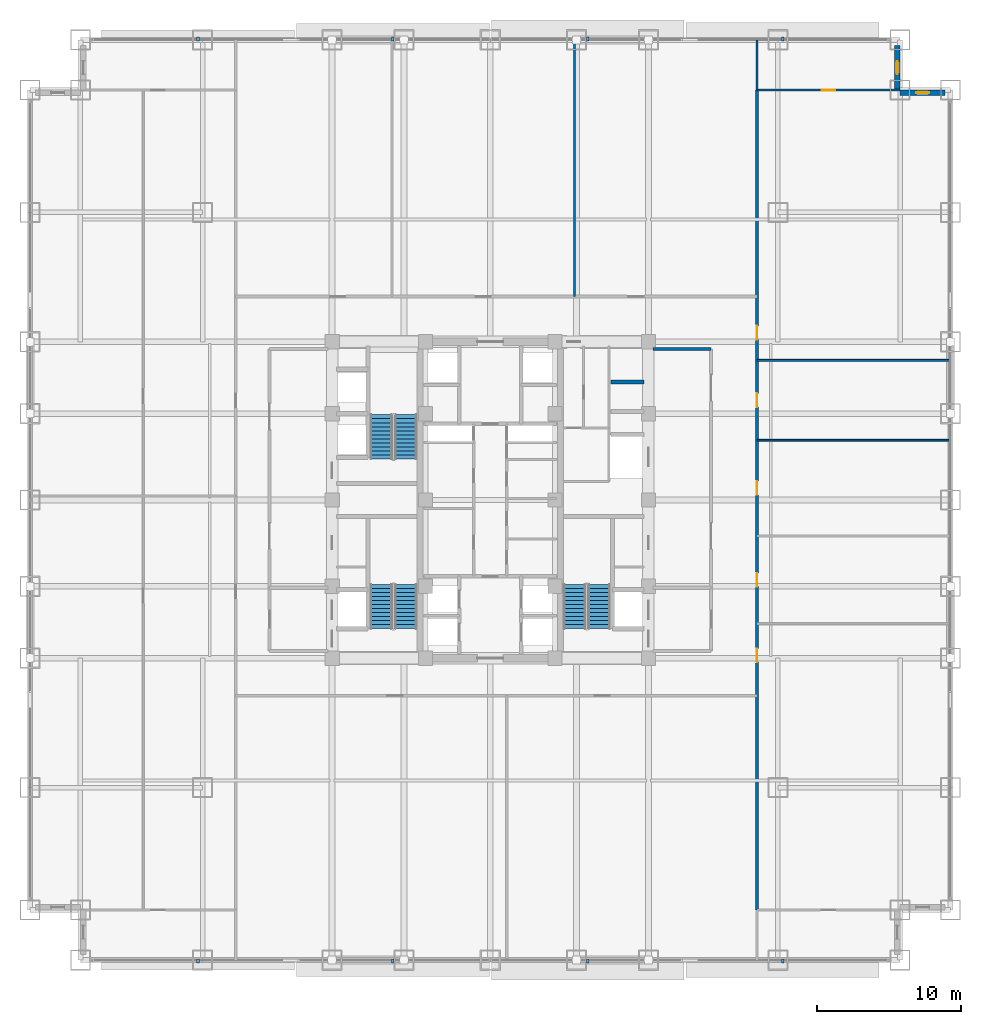
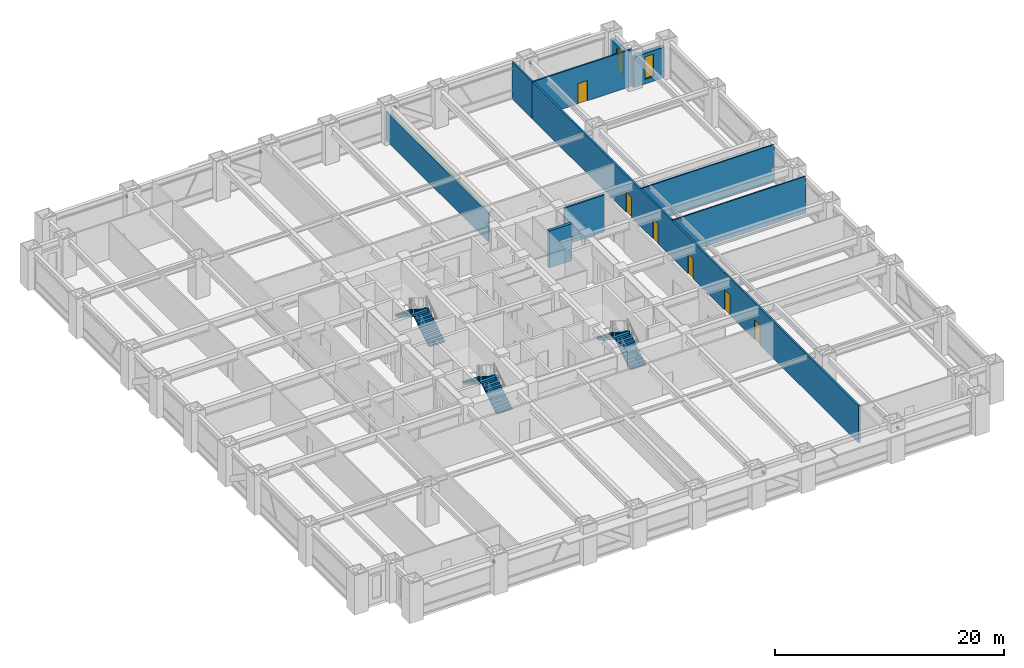
# One storey, part 27 of 32: 10 walls, 8 discrete accessories, 6 doors, 6 stair flights, 2 windows, 8 openings, 3 elements without a shape of their own.
"""IFC4 building model written with IfcOpenShell, lengths in metres."""

from ifc_helpers import new_model, si_unit, direction, frame, frame_2d, origin, origin_2d, place, context, subcontext, project, spatial, polyline, rectangle, outline, extrude, source, transform, mapped, material, layer, layer_set, type_object, element, fill, aggregate, save


model = new_model("IFC4")

# Units and contexts
model_context = context("Model", 3, precision=1e-05, world=origin(), true_north=direction((0.0, 1.0)))
body_context = subcontext(model_context, "Body", "Model", "MODEL_VIEW")
ifc_project = project(units=[si_unit("LENGTHUNIT", "METRE"), si_unit("AREAUNIT", "SQUARE_METRE"), si_unit("VOLUMEUNIT", "CUBIC_METRE"), si_unit("PLANEANGLEUNIT", "RADIAN"), si_unit("MASSUNIT", "GRAM", prefix="KILO")], contexts=[model_context])

# Site, building, storey
site_placement = place(None, origin())
site = spatial("IfcSite", under=ifc_project, at=site_placement, CompositionType="ELEMENT")
building_placement = place(site_placement, origin())
building = spatial("IfcBuilding", under=site, at=building_placement, Name="Khorayat Bourse Tower", CompositionType="ELEMENT")
storey_placement = place(building_placement, frame((0.0, 0.0, 78.800048828125)))
storey = spatial("IfcBuildingStorey", under=building, at=storey_placement, Name="L17", CompositionType="ELEMENT", Elevation=78.800048828125)

# Wall, opening, window
ifc_material_1 = material(Name="Precast concrete C45/55", Category="concrete")
ifc_layer_1 = layer(ifc_material_1, 0.3798828125)
ifc_layer_set_1 = layer_set([ifc_layer_1], Name="Precast concrete C45/55")
wall_type_1 = type_object("IfcWallType", Name="WAL-EXT-STONE-380", PredefinedType="STANDARD", material=ifc_layer_set_1)
shared_shape_1 = source(origin(), body_context, "Body", "SweptSolid", [
    extrude(rectangle(XDim=3.1201171875, YDim=0.3798828125, at=frame_2d((1.56005859375, 0.0))), origin(), (0.0, 0.0, 1.0), 3.244873046875),
])
wall_1_placement = place(storey_placement, frame((28.5, 28.31005859375, 0.0), z_axis=(0.0, 0.0, 1.0), x_axis=(1.0, 0.0, 0.0)))
wall_1 = element("IfcWall", 1, at=wall_1_placement, inside=storey, type_object=wall_type_1, Name="L17 Re-Entrant Notch Limestone Wall NE-H", PredefinedType="STANDARD", context=body_context, shape_type="MappedRepresentation", body=[
    mapped(shared_shape_1, transform((0.0, 0.0, 0.0), scale=1.0)),
])
shared_shape_2 = source(origin(), body_context, "Body", "SweptSolid", [
    extrude(rectangle(XDim=0.89990234375, YDim=2.39990234375, at=frame_2d((0.449951171875, 1.199951171875))), frame((0.0, 0.199951171875, 0.0), z_axis=(0.0, -1.0, 0.0), x_axis=(1.0, 0.0, 0.0)), (0.0, 0.0, 1.0), 0.39990234375),
])
opening_1_placement = place(wall_1_placement, frame((1.110107421875, 0.0, 0.5)))
opening_1 = element("IfcOpeningElement", 2, at=opening_1_placement, cuts=wall_1, Name="Opening WN-03", PredefinedType="OPENING", context=body_context, shape_type="MappedRepresentation", body=[
    mapped(shared_shape_2, transform((0.0, 0.0, 0.0), scale=1.0)),
])
ifc_material_2 = material(Name="Deep-reveal solar-control double glazing", Category="glass")
window_type = type_object("IfcWindowType", Name="WIN-SLOT-900x2400", PartitioningType="SINGLE_PANEL", PredefinedType="WINDOW", material=ifc_material_2)
shared_shape_3 = source(origin(), body_context, "Body", "SweptSolid", [
    extrude(rectangle(XDim=0.89990234375, YDim=2.39990234375, at=frame_2d((0.449951171875, 1.199951171875))), frame((0.0, 0.030029296875, 0.0), z_axis=(0.0, -1.0, 0.0), x_axis=(1.0, 0.0, 0.0)), (0.0, 0.0, 1.0), 0.06005859375),
])
window_1_placement = place(opening_1_placement, origin())
window_1 = element("IfcWindow", 3, at=window_1_placement, inside=storey, type_object=window_type, Name="L17 Facade Window 1", OverallHeight=2.39990234375, OverallWidth=0.89990234375, PartitioningType="SINGLE_PANEL", PredefinedType="WINDOW", context=body_context, shape_type="MappedRepresentation", body=[
    mapped(shared_shape_3, transform((0.0, 0.0, 0.0), scale=1.0)),
])
fill(opening_1, window_1)

wall_2_placement = place(storey_placement, frame((28.31005859375, 28.5, 0.0), z_axis=(0.0, 0.0, 1.0), x_axis=(0.0, 1.0, 0.0)))
wall_2 = element("IfcWall", 4, at=wall_2_placement, inside=storey, type_object=wall_type_1, Name="L17 Re-Entrant Notch Limestone Wall NE-V", PredefinedType="STANDARD", context=body_context, shape_type="MappedRepresentation", body=[
    mapped(shared_shape_1, transform((0.0, 0.0, 0.0), scale=1.0)),
])
opening_2_placement = place(wall_2_placement, frame((1.110107421875, 0.0, 0.5)))
opening_2 = element("IfcOpeningElement", 5, at=opening_2_placement, cuts=wall_2, Name="Opening WN-03", PredefinedType="OPENING", context=body_context, shape_type="MappedRepresentation", body=[
    mapped(shared_shape_2, transform((0.0, 0.0, 0.0), scale=1.0)),
])
window_2_placement = place(opening_2_placement, origin())
window_2 = element("IfcWindow", 6, at=window_2_placement, inside=storey, type_object=window_type, Name="L17 Facade Window 1", OverallHeight=2.39990234375, OverallWidth=0.89990234375, PartitioningType="SINGLE_PANEL", PredefinedType="WINDOW", context=body_context, shape_type="MappedRepresentation", body=[
    mapped(shared_shape_3, transform((0.0, 0.0, 0.0), scale=1.0)),
])
fill(opening_2, window_2)

# Walls
ifc_material_3 = material(Name="Concrete C50/60", Category="concrete")
ifc_layer_2 = layer(ifc_material_3, 0.300048828125)
ifc_layer_set_2 = layer_set([ifc_layer_2], Name="Concrete C50/60")
wall_type_2 = type_object("IfcWallType", Name="WAL-SHAFT-300", PredefinedType="SHEAR", material=ifc_layer_set_2)
shared_shape_4 = source(origin(), body_context, "Body", "SweptSolid", [
    extrude(rectangle(XDim=2.300048828125, YDim=0.300048828125, at=frame_2d((1.14990234375, 0.0))), origin(), (0.0, 0.0, 1.0), 3.93994140625),
])
wall_3_placement = place(storey_placement, frame((8.39990234375, 8.199951171875, 0.0), z_axis=(0.0, 0.0, 1.0), x_axis=(1.0, 0.0, 0.0)))
element("IfcWall", 7, at=wall_3_placement, inside=storey, type_object=wall_type_2, Name="L17 Partition WAL-L17-EPIER-H34", PredefinedType="SHEAR", context=body_context, shape_type="MappedRepresentation", body=[
    mapped(shared_shape_4, transform((0.0, 0.0, 0.0), scale=1.0)),
])
ifc_material_4 = material(Name="Gypsum plasterboard acoustic stud wall")
ifc_layer_3 = layer(ifc_material_4, 0.179931640625)
ifc_layer_set_3 = layer_set([ifc_layer_3], Name="Gypsum plasterboard acoustic stud wall")
wall_type_3 = type_object("IfcWallType", Name="WAL-PART-CORR-180", PredefinedType="PARTITIONING", material=ifc_layer_set_3)
shared_shape_5 = source(origin(), body_context, "Body", "SweptSolid", [
    extrude(rectangle(XDim=4.050048828125, YDim=0.179931640625, at=frame_2d((2.02490234375, 0.0))), origin(), (0.0, 0.0, 1.0), 3.93994140625),
])
wall_4_placement = place(storey_placement, frame((11.300048828125, 10.5, 0.0), z_axis=(0.0, 0.0, 1.0), x_axis=(1.0, 0.0, 0.0)))
element("IfcWall", 8, at=wall_4_placement, inside=storey, type_object=wall_type_3, Name="L17 Partition WAL-L17-ELOB-N", PredefinedType="PARTITIONING", context=body_context, shape_type="MappedRepresentation", body=[
    mapped(shared_shape_5, transform((0.0, 0.0, 0.0), scale=1.0)),
])
ifc_material_5 = material(Name="Gypsum plasterboard twin-frame partition")
ifc_layer_4 = layer(ifc_material_5, 0.14990234375)
ifc_layer_set_4 = layer_set([ifc_layer_4], Name="Gypsum plasterboard twin-frame partition")
wall_type_4 = type_object("IfcWallType", Name="WAL-PART-SUITE-150", PredefinedType="PARTITIONING", material=ifc_layer_set_4)
shared_shape_6 = source(origin(), body_context, "Body", "SweptSolid", [
    extrude(rectangle(XDim=3.5, YDim=0.14990234375, at=frame_2d((1.75, 0.0))), origin(), (0.0, 0.0, 1.0), 3.93994140625),
])
wall_5_placement = place(storey_placement, frame((18.550048828125, 28.5, 0.0), z_axis=(0.0, 0.0, 1.0), x_axis=(0.0, 1.0, 0.0)))
element("IfcWall", 9, at=wall_5_placement, inside=storey, type_object=wall_type_4, Name="L17 Partition WAL-L17-NCE-END", PredefinedType="PARTITIONING", context=body_context, shape_type="MappedRepresentation", body=[
    mapped(shared_shape_6, transform((0.0, 0.0, 0.0), scale=1.0)),
])

# Wall, openings, doors
shared_shape_7 = source(origin(), body_context, "Body", "SweptSolid", [
    extrude(rectangle(XDim=57.0, YDim=0.179931640625, at=frame_2d((28.5, 0.0))), origin(), (0.0, 0.0, 1.0), 3.93994140625),
])
wall_6_placement = place(storey_placement, frame((18.550048828125, -28.5, 0.0), z_axis=(0.0, 0.0, 1.0), x_axis=(0.0, 1.0, 0.0)))
wall_6 = element("IfcWall", 10, at=wall_6_placement, inside=storey, type_object=wall_type_3, Name="L17 Partition WAL-L17-ECORR", PredefinedType="PARTITIONING", context=body_context, shape_type="MappedRepresentation", body=[
    mapped(shared_shape_7, transform((0.0, 0.0, 0.0), scale=1.0)),
])
shared_shape_8 = source(origin(), body_context, "Body", "SweptSolid", [
    extrude(rectangle(XDim=0.949951171875, YDim=2.14990234375, at=frame_2d((0.47509765625, 1.074951171875))), frame((0.0, 0.099853515625, 0.0), z_axis=(0.0, -1.0, 0.0), x_axis=(1.0, 0.0, 0.0)), (0.0, 0.0, 1.0), 0.199951171875),
])
opening_3_placement = place(wall_6_placement, frame((17.222412109375, 0.0, 0.0)))
opening_3 = element("IfcOpeningElement", 11, at=opening_3_placement, cuts=wall_6, Name="Opening DI-05", PredefinedType="OPENING", context=body_context, shape_type="MappedRepresentation", body=[
    mapped(shared_shape_8, transform((0.0, 0.0, 0.0), scale=1.0)),
])
opening_4_placement = place(wall_6_placement, frame((22.472412109375, 0.0, 0.0)))
opening_4 = element("IfcOpeningElement", 12, at=opening_4_placement, cuts=wall_6, Name="Opening DI-05", PredefinedType="OPENING", context=body_context, shape_type="MappedRepresentation", body=[
    mapped(shared_shape_8, transform((0.0, 0.0, 0.0), scale=1.0)),
])
opening_5_placement = place(wall_6_placement, frame((28.85498046875, 0.0, 0.0)))
opening_5 = element("IfcOpeningElement", 13, at=opening_5_placement, cuts=wall_6, Name="Opening DI-05", PredefinedType="OPENING", context=body_context, shape_type="MappedRepresentation", body=[
    mapped(shared_shape_8, transform((0.0, 0.0, 0.0), scale=1.0)),
])
opening_6_placement = place(wall_6_placement, frame((34.9599609375, 0.0, 0.0)))
opening_6 = element("IfcOpeningElement", 14, at=opening_6_placement, cuts=wall_6, Name="Opening DI-05", PredefinedType="OPENING", context=body_context, shape_type="MappedRepresentation", body=[
    mapped(shared_shape_8, transform((0.0, 0.0, 0.0), scale=1.0)),
])
opening_7_placement = place(wall_6_placement, frame((39.655029296875, 0.0, 0.0)))
opening_7 = element("IfcOpeningElement", 15, at=opening_7_placement, cuts=wall_6, Name="Opening DI-05", PredefinedType="OPENING", context=body_context, shape_type="MappedRepresentation", body=[
    mapped(shared_shape_8, transform((0.0, 0.0, 0.0), scale=1.0)),
])
ifc_material_6 = material(Name="Acoustic oak veneer office door")
door_type = type_object("IfcDoorType", Name="DR-INT-OFFICE-950", OperationType="NOTDEFINED", PredefinedType="DOOR", material=ifc_material_6)
shared_shape_9 = source(origin(), body_context, "Body", "SweptSolid", [
    extrude(rectangle(XDim=0.949951171875, YDim=2.14990234375, at=frame_2d((0.47509765625, 1.074951171875))), frame((0.0, 0.02490234375, 0.0), z_axis=(0.0, -1.0, 0.0), x_axis=(1.0, 0.0, 0.0)), (0.0, 0.0, 1.0), 0.050048828125),
])
door_1_placement = place(opening_3_placement, origin())
door_1 = element("IfcDoor", 16, at=door_1_placement, inside=storey, type_object=door_type, Name="L17 Clearing Records Archive Store E1 Door", OperationType="SINGLE_SWING_RIGHT", OverallHeight=2.14990234375, OverallWidth=0.949951171875, PredefinedType="DOOR", context=body_context, shape_type="MappedRepresentation", body=[
    mapped(shared_shape_9, transform((0.0, 0.0, 0.0), scale=1.0)),
])
fill(opening_3, door_1)
door_2_placement = place(opening_4_placement, origin())
door_2 = element("IfcDoor", 17, at=door_2_placement, inside=storey, type_object=door_type, Name="L17 Executive Boardroom E2 Door", OperationType="SINGLE_SWING_LEFT", OverallHeight=2.14990234375, OverallWidth=0.949951171875, PredefinedType="DOOR", context=body_context, shape_type="MappedRepresentation", body=[
    mapped(shared_shape_9, transform((0.0, 0.0, 0.0), scale=1.0)),
])
fill(opening_4, door_2)
door_3_placement = place(opening_5_placement, origin())
door_3 = element("IfcDoor", 18, at=door_3_placement, inside=storey, type_object=door_type, Name="L17 Issuer Listing Showroom E3 Door", OperationType="SINGLE_SWING_RIGHT", OverallHeight=2.14990234375, OverallWidth=0.949951171875, PredefinedType="DOOR", context=body_context, shape_type="MappedRepresentation", body=[
    mapped(shared_shape_9, transform((0.0, 0.0, 0.0), scale=1.0)),
])
fill(opening_5, door_3)
door_4_placement = place(opening_6_placement, origin())
door_4 = element("IfcDoor", 19, at=door_4_placement, inside=storey, type_object=door_type, Name="L17 Brokerage Member Kiosk E4 Door", OperationType="SINGLE_SWING_LEFT", OverallHeight=2.14990234375, OverallWidth=0.949951171875, PredefinedType="DOOR", context=body_context, shape_type="MappedRepresentation", body=[
    mapped(shared_shape_9, transform((0.0, 0.0, 0.0), scale=1.0)),
])
fill(opening_6, door_4)
door_5_placement = place(opening_7_placement, origin())
door_5 = element("IfcDoor", 20, at=door_5_placement, inside=storey, type_object=door_type, Name="L17 Issuer Listing Showroom E5 Door", OperationType="SINGLE_SWING_RIGHT", OverallHeight=2.14990234375, OverallWidth=0.949951171875, PredefinedType="DOOR", context=body_context, shape_type="MappedRepresentation", body=[
    mapped(shared_shape_9, transform((0.0, 0.0, 0.0), scale=1.0)),
])
fill(opening_7, door_5)

# Walls
ifc_material_7 = material(Name="Gypsum plasterboard partition")
ifc_layer_5 = layer(ifc_material_7, 0.125)
ifc_layer_set_5 = layer_set([ifc_layer_5], Name="Gypsum plasterboard partition")
wall_type_5 = type_object("IfcWallType", Name="WAL-PART-ROOM-125", PredefinedType="PARTITIONING", material=ifc_layer_set_5)
shared_shape_10 = source(origin(), body_context, "Body", "SweptSolid", [
    extrude(rectangle(XDim=13.449951171875, YDim=0.125, at=frame_2d((6.72509765625, 0.0))), origin(), (0.0, 0.0, 1.0), 3.93994140625),
])
for number, where, z_axis, x_axis, name in (
    (21, (18.550048828125, 4.159912109375, 0.0), (0.0, 0.0, 1.0), (1.0, 0.0, 0.0), "L17 Partition WAL-L17-EDV-3"),
    (22, (18.550048828125, 9.7099609375, 0.0), (0.0, 0.0, 1.0), (1.0, 0.0, 0.0), "L17 Partition WAL-L17-EDV-4"),
):
    element("IfcWall", number, at=place(storey_placement, frame(where, z_axis=z_axis, x_axis=x_axis)), inside=storey, type_object=wall_type_5, Name=name, PredefinedType="PARTITIONING", context=body_context, shape_type="MappedRepresentation", body=[
        mapped(shared_shape_10, transform((0.0, 0.0, 0.0), scale=1.0)),
    ])

# Wall, opening, door
shared_shape_11 = source(origin(), body_context, "Body", "SweptSolid", [
    extrude(rectangle(XDim=9.949951171875, YDim=0.14990234375, at=frame_2d((4.97509765625, 0.0))), origin(), (0.0, 0.0, 1.0), 3.93994140625),
])
wall_7_placement = place(storey_placement, frame((18.550048828125, 28.5, 0.0), z_axis=(0.0, 0.0, 1.0), x_axis=(1.0, 0.0, 0.0)))
wall_7 = element("IfcWall", 23, at=wall_7_placement, inside=storey, type_object=wall_type_4, Name="L17 Partition WAL-L17-CNE", PredefinedType="PARTITIONING", context=body_context, shape_type="MappedRepresentation", body=[
    mapped(shared_shape_11, transform((0.0, 0.0, 0.0), scale=1.0)),
])
shared_shape_12 = source(origin(), body_context, "Body", "SweptSolid", [
    extrude(rectangle(XDim=0.949951171875, YDim=2.14990234375, at=frame_2d((0.47509765625, 1.074951171875))), frame((0.0, 0.0849609375, 0.0), z_axis=(0.0, -1.0, 0.0), x_axis=(1.0, 0.0, 0.0)), (0.0, 0.0, 1.0), 0.169921875),
])
opening_8_placement = place(wall_7_placement, frame((4.5, 0.0, 0.0)))
opening_8 = element("IfcOpeningElement", 24, at=opening_8_placement, cuts=wall_7, Name="Opening DI-05", PredefinedType="OPENING", context=body_context, shape_type="MappedRepresentation", body=[
    mapped(shared_shape_12, transform((0.0, 0.0, 0.0), scale=1.0)),
])
door_6_placement = place(opening_8_placement, origin())
door_6 = element("IfcDoor", 25, at=door_6_placement, inside=storey, type_object=door_type, Name="L17 North-East Corner Lounge Door", OperationType="SINGLE_SWING_LEFT", OverallHeight=2.14990234375, OverallWidth=0.949951171875, PredefinedType="DOOR", context=body_context, shape_type="MappedRepresentation", body=[
    mapped(shared_shape_9, transform((0.0, 0.0, 0.0), scale=1.0)),
])
fill(opening_8, door_6)

# Wall
shared_shape_13 = source(origin(), body_context, "Body", "SweptSolid", [
    extrude(rectangle(XDim=17.85009765625, YDim=0.14990234375, at=frame_2d((8.925048828125, 0.0))), origin(), (0.0, 0.0, 1.0), 3.0849609375),
])
wall_8_placement = place(storey_placement, frame((5.862548828125, 14.14990234375, 0.0), z_axis=(0.0, 0.0, 1.0), x_axis=(0.0, 1.0, 0.0)))
element("IfcWall", 26, at=wall_8_placement, inside=storey, type_object=wall_type_4, Name="L17 Partition WAL-L17-NDV-2", PredefinedType="PARTITIONING", context=body_context, shape_type="MappedRepresentation", body=[
    mapped(shared_shape_13, transform((0.0, 0.0, 0.0), scale=1.0)),
])

# Stair, stair flights
ifc_material_8 = material(Name="Concrete C40/50", Category="concrete")
stair_type = type_object("IfcStairType", Name="STR-CORE-1550", PredefinedType="HALF_TURN_STAIR", material=ifc_material_8)
stair_1_placement = place(storey_placement, origin())
stair_1 = element("IfcStair", 27, at=stair_1_placement, inside=storey, type_object=stair_type, Name="L17 Exit Stair ST-1", PredefinedType="HALF_TURN_STAIR")
stair_flight_type = type_object("IfcStairFlightType", Name="FLT-CORE-1550", PredefinedType="STRAIGHT", material=ifc_material_8)
shared_shape_14 = source(origin(), body_context, "Body", "SweptSolid", [
    extrude(outline(polyline([(0.0, 0.0), (0.0, 0.175048828125), (0.280029296875, 0.175048828125), (0.280029296875, 0.35009765625), (0.56005859375, 0.35009765625), (0.56005859375, 0.52490234375), (0.840087890625, 0.52490234375), (0.840087890625, 0.699951171875), (1.1201171875, 0.699951171875), (1.1201171875, 0.875), (1.39990234375, 0.875), (1.39990234375, 1.050048828125), (1.679931640625, 1.050048828125), (1.679931640625, 1.22509765625), (1.9599609375, 1.22509765625), (1.9599609375, 1.39990234375), (2.239990234375, 1.39990234375), (2.239990234375, 1.574951171875), (2.52001953125, 1.574951171875), (2.52001953125, 1.75), (2.800048828125, 1.75), (2.800048828125, 1.925048828125), (3.080078125, 1.925048828125), (3.080078125, 2.10009765625), (3.080078125, 1.712890625), (0.339599609375, 0.0), (0.0, 0.0)])), frame((0.0, 0.77490234375, 0.0), z_axis=(0.0, -1.0, 0.0), x_axis=(1.0, 0.0, 0.0)), (0.0, 0.0, 1.0), 1.550048828125),
])
stair_flight_1_placement = place(storey_placement, frame((-5.875, -8.949951171875, 0.0), z_axis=(0.0, 0.0, 1.0), x_axis=(0.0, 1.0, 0.0)))
stair_flight_1 = element("IfcStairFlight", 28, at=stair_flight_1_placement, type_object=stair_flight_type, Name="ST-1 flight 1", NumberOfRisers=12, NumberOfTreads=11, PredefinedType="STRAIGHT", RiserHeight=0.175, TreadLength=0.28, context=body_context, shape_type="MappedRepresentation", body=[
    mapped(shared_shape_14, transform((0.0, 0.0, 0.0), scale=1.0)),
])
stair_flight_2_placement = place(storey_placement, frame((-7.574951171875, -5.8701171875, 2.099853515625), z_axis=(0.0, 0.0, 1.0), x_axis=(0.0, -1.0, 0.0)))
stair_flight_2 = element("IfcStairFlight", 29, at=stair_flight_2_placement, type_object=stair_flight_type, Name="ST-1 flight 2", NumberOfRisers=12, NumberOfTreads=11, PredefinedType="STRAIGHT", RiserHeight=0.175, TreadLength=0.28, context=body_context, shape_type="MappedRepresentation", body=[
    mapped(shared_shape_14, transform((0.0, 0.0, 0.0), scale=1.0)),
])
aggregate(stair_1, [stair_flight_1, stair_flight_2])

stair_2_placement = place(storey_placement, origin())
stair_2 = element("IfcStair", 30, at=stair_2_placement, inside=storey, type_object=stair_type, Name="L17 Exit Stair ST-2", PredefinedType="HALF_TURN_STAIR")
stair_flight_3_placement = place(storey_placement, frame((-5.875, 2.85009765625, 0.0), z_axis=(0.0, 0.0, 1.0), x_axis=(0.0, 1.0, 0.0)))
stair_flight_3 = element("IfcStairFlight", 31, at=stair_flight_3_placement, type_object=stair_flight_type, Name="ST-2 flight 1", NumberOfRisers=12, NumberOfTreads=11, PredefinedType="STRAIGHT", RiserHeight=0.175, TreadLength=0.28, context=body_context, shape_type="MappedRepresentation", body=[
    mapped(shared_shape_14, transform((0.0, 0.0, 0.0), scale=1.0)),
])
stair_flight_4_placement = place(storey_placement, frame((-7.574951171875, 5.929931640625, 2.099853515625), z_axis=(0.0, 0.0, 1.0), x_axis=(0.0, -1.0, 0.0)))
stair_flight_4 = element("IfcStairFlight", 32, at=stair_flight_4_placement, type_object=stair_flight_type, Name="ST-2 flight 2", NumberOfRisers=12, NumberOfTreads=11, PredefinedType="STRAIGHT", RiserHeight=0.175, TreadLength=0.28, context=body_context, shape_type="MappedRepresentation", body=[
    mapped(shared_shape_14, transform((0.0, 0.0, 0.0), scale=1.0)),
])
aggregate(stair_2, [stair_flight_3, stair_flight_4])

stair_3_placement = place(storey_placement, origin())
stair_3 = element("IfcStair", 33, at=stair_3_placement, inside=storey, type_object=stair_type, Name="L17 Exit Stair ST-3", PredefinedType="HALF_TURN_STAIR")
stair_flight_5_placement = place(storey_placement, frame((7.574951171875, -8.949951171875, 0.0), z_axis=(0.0, 0.0, 1.0), x_axis=(0.0, 1.0, 0.0)))
stair_flight_5 = element("IfcStairFlight", 34, at=stair_flight_5_placement, type_object=stair_flight_type, Name="ST-3 flight 1", NumberOfRisers=12, NumberOfTreads=11, PredefinedType="STRAIGHT", RiserHeight=0.175, TreadLength=0.28, context=body_context, shape_type="MappedRepresentation", body=[
    mapped(shared_shape_14, transform((0.0, 0.0, 0.0), scale=1.0)),
])
stair_flight_6_placement = place(storey_placement, frame((5.875, -5.8701171875, 2.099853515625), z_axis=(0.0, 0.0, 1.0), x_axis=(0.0, -1.0, 0.0)))
stair_flight_6 = element("IfcStairFlight", 35, at=stair_flight_6_placement, type_object=stair_flight_type, Name="ST-3 flight 2", NumberOfRisers=12, NumberOfTreads=11, PredefinedType="STRAIGHT", RiserHeight=0.175, TreadLength=0.28, context=body_context, shape_type="MappedRepresentation", body=[
    mapped(shared_shape_14, transform((0.0, 0.0, 0.0), scale=1.0)),
])
aggregate(stair_3, [stair_flight_5, stair_flight_6])

# Discrete accessories
ifc_material_9 = material(Name="Steel EN 10025-2 S355J2", Category="steel")
discrete_accessory_type = type_object("IfcDiscreteAccessoryType", Name="ACC-SHADE-BRACKET", PredefinedType="BRACKET", material=ifc_material_9)
shared_shape_15 = source(origin(), body_context, "Body", "SweptSolid", [
    extrude(rectangle(XDim=0.179931640625, YDim=0.300048828125, at=origin_2d()), origin(), (0.0, 0.0, 1.0), 0.239990234375),
])
for number, where, z_axis, x_axis, name in (
    (36, (-20.324951171875, -32.06005859375, 3.0400390625), (0.0, 0.0, 1.0), (1.0, 0.0, 0.0), "L17 Sunshade Support Bracket S-1"),
    (37, (-6.77490234375, -32.06005859375, 3.0400390625), (0.0, 0.0, 1.0), (1.0, 0.0, 0.0), "L17 Sunshade Support Bracket S-2"),
    (38, (6.77490234375, -32.06005859375, 3.0400390625), (0.0, 0.0, 1.0), (1.0, 0.0, 0.0), "L17 Sunshade Support Bracket S-3"),
    (39, (20.324951171875, -32.06005859375, 3.0400390625), (0.0, 0.0, 1.0), (1.0, 0.0, 0.0), "L17 Sunshade Support Bracket S-4"),
    (40, (-20.324951171875, 32.06005859375, 3.0400390625), (0.0, 0.0, 1.0), (1.0, 0.0, 0.0), "L17 Sunshade Support Bracket N-1"),
    (41, (-6.77490234375, 32.06005859375, 3.0400390625), (0.0, 0.0, 1.0), (1.0, 0.0, 0.0), "L17 Sunshade Support Bracket N-2"),
    (42, (6.77490234375, 32.06005859375, 3.0400390625), (0.0, 0.0, 1.0), (1.0, 0.0, 0.0), "L17 Sunshade Support Bracket N-3"),
    (43, (20.324951171875, 32.06005859375, 3.0400390625), (0.0, 0.0, 1.0), (1.0, 0.0, 0.0), "L17 Sunshade Support Bracket N-4"),
):
    element("IfcDiscreteAccessory", number, at=place(storey_placement, frame(where, z_axis=z_axis, x_axis=x_axis)), inside=storey, type_object=discrete_accessory_type, Name=name, PredefinedType="BRACKET", context=body_context, shape_type="MappedRepresentation", body=[
        mapped(shared_shape_15, transform((0.0, 0.0, 0.0), scale=1.0)),
    ])

save(model, "model.ifc")
